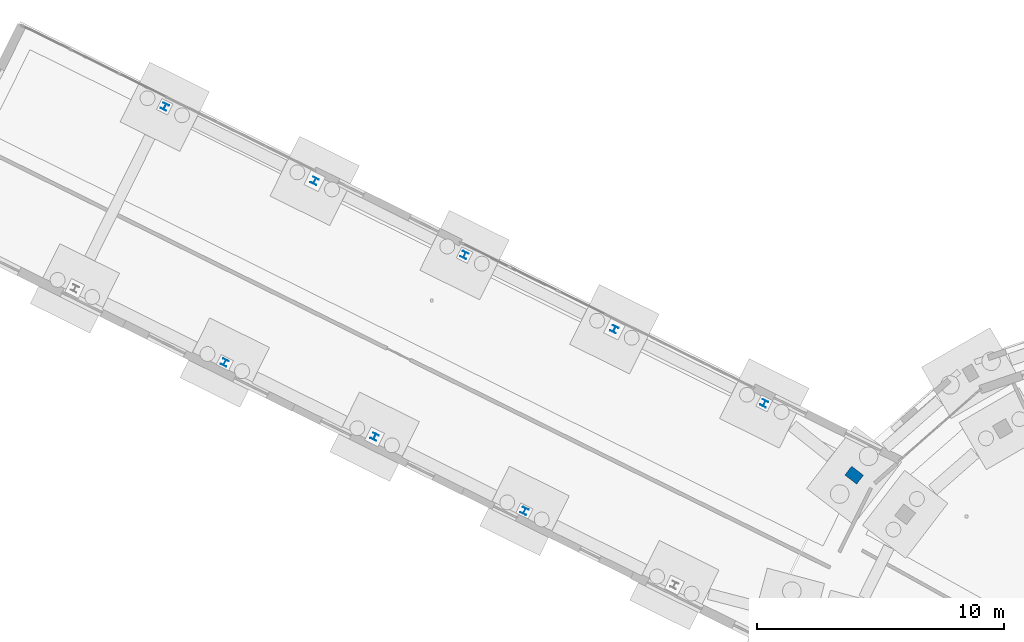
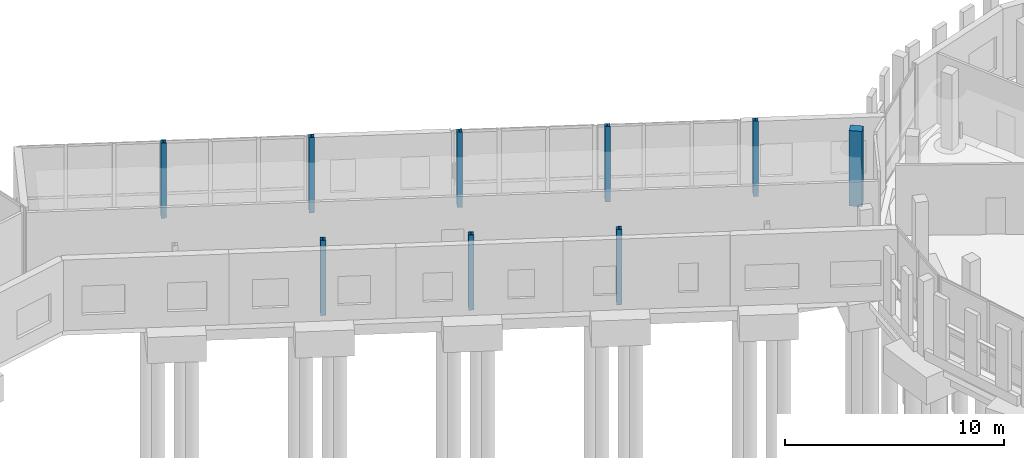
# One storey, part 27 of 113: 9 columns.
"""IFC4 building model written with IfcOpenShell, lengths in metres."""

from ifc_helpers import new_model, si_unit, direction, frame, origin, origin_2d, place, context, subcontext, project, spatial, rectangle, i_section, extrude, material, material_profile, profile_set, type_object, element, save


model = new_model("IFC4")

# Units and contexts
model_context = context("Model", 3, precision=1e-05, world=origin(), true_north=direction((0.0, 1.0)))
body_context = subcontext(model_context, "Body", "Model", "MODEL_VIEW")
ifc_project = project(units=[si_unit("LENGTHUNIT", "METRE"), si_unit("AREAUNIT", "SQUARE_METRE"), si_unit("VOLUMEUNIT", "CUBIC_METRE"), si_unit("PLANEANGLEUNIT", "RADIAN"), si_unit("MASSUNIT", "GRAM", prefix="KILO")], contexts=[model_context])

# Site, building, storey
site_placement = place(None, origin())
site = spatial("IfcSite", under=ifc_project, at=site_placement, CompositionType="ELEMENT")
building_placement = place(site_placement, origin())
building = spatial("IfcBuilding", under=site, at=building_placement, Name="Wrenclough Park School", CompositionType="ELEMENT")
storey_placement = place(building_placement, origin())
storey = spatial("IfcBuildingStorey", under=building, at=storey_placement, Name="L00", CompositionType="ELEMENT", Elevation=0.0)

# Columns
ifc_material_1 = material(Name="Concrete C40/50", Category="concrete")
ifc_material_profile_1 = material_profile(ifc_material_1, rectangle(XDim=0.449951171875, YDim=0.60009765625, at=origin_2d()), Name="RC COL 600x450")
ifc_profile_set_1 = profile_set([ifc_material_profile_1], Name="Concrete C40/50")
column_type_1 = type_object("IfcColumnType", Name="STR-COL-RC600x450", PredefinedType="PILASTER", material=ifc_profile_set_1)
column_placement = place(storey_placement, frame((161.7666015625, 103.2705078125, 0.0), z_axis=(0.0, 0.0, 1.0), x_axis=(-0.608761429009, -0.793353340291, 0.0)))
element("IfcColumn", 1, at=column_placement, inside=storey, type_object=column_type_1, Name="D5 L00 column D5-OUT-07", PredefinedType="PILASTER", context=body_context, shape_type="SweptSolid", body=[
    extrude(rectangle(XDim=0.449951171875, YDim=0.60009765625, at=origin_2d()), origin(), (0.0, 0.0, 1.0), 4.199951171875),
])
ifc_material_2 = material(Name="Structural steel S355", Category="steel")
ifc_material_profile_2 = material_profile(ifc_material_2, i_section(OverallWidth=0.254638671875, OverallDepth=0.254150390625, WebThickness=0.008544921875, FlangeThickness=0.01416015625, FilletRadius=0.0126953125, at=origin_2d()), Name="UKC 254x254x73")
ifc_profile_set_2 = profile_set([ifc_material_profile_2], Name="Structural steel S355")
column_type_2 = type_object("IfcColumnType", Name="STR-COL-UKC254A", PredefinedType="COLUMN", material=ifc_profile_set_2)
for number, where, z_axis, x_axis, name in (
    (2, (133.880859375, 118.1748046875, 0.0), (0.0, 0.0, 1.0), (0.896254315973, -0.443540529265, 0.0), "W45 L00 column W45-C2-L01"),
    (3, (139.943359375, 115.1748046875, 0.0), (0.0, 0.0, 1.0), (0.896254315973, -0.443540529265, 0.0), "W45 L00 column W45-C2-L02"),
    (4, (136.306640625, 107.8251953125, 0.0), (0.0, 0.0, 1.0), (0.896254315973, -0.443540529265, 0.0), "W45 L00 column W45-C2-R02"),
    (5, (146.005859375, 112.1748046875, 0.0), (0.0, 0.0, 1.0), (0.896254315973, -0.443540529265, 0.0), "W45 L00 column W45-C2-L03"),
    (6, (142.369140625, 104.8251953125, 0.0), (0.0, 0.0, 1.0), (0.896254315973, -0.443540529265, 0.0), "W45 L00 column W45-C2-R03"),
    (7, (152.068359375, 109.1748046875, 0.0), (0.0, 0.0, 1.0), (0.896254315973, -0.443540529265, 0.0), "W45 L00 column W45-C2-L04"),
    (8, (148.431640625, 101.8251953125, 0.0), (0.0, 0.0, 1.0), (0.896254315973, -0.443540529265, 0.0), "W45 L00 column W45-C2-R04"),
    (9, (158.130859375, 106.1748046875, 0.0), (0.0, 0.0, 1.0), (0.896254315973, -0.443540529265, 0.0), "W45 L00 column W45-C2-L05"),
):
    element("IfcColumn", number, at=place(storey_placement, frame(where, z_axis=z_axis, x_axis=x_axis)), inside=storey, type_object=column_type_2, Name=name, PredefinedType="COLUMN", context=body_context, shape_type="SweptSolid", body=[
        extrude(i_section(OverallWidth=0.254638671875, OverallDepth=0.254150390625, WebThickness=0.008544921875, FlangeThickness=0.01416015625, FilletRadius=0.0126953125, at=origin_2d()), origin(), (0.0, 0.0, 1.0), 4.199951171875),
    ])

save(model, "model.ifc")
